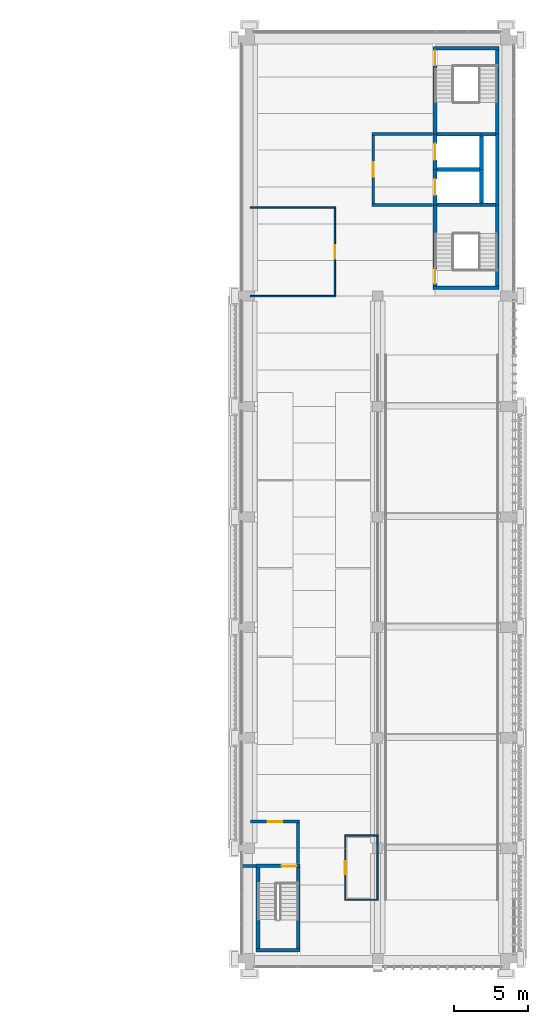
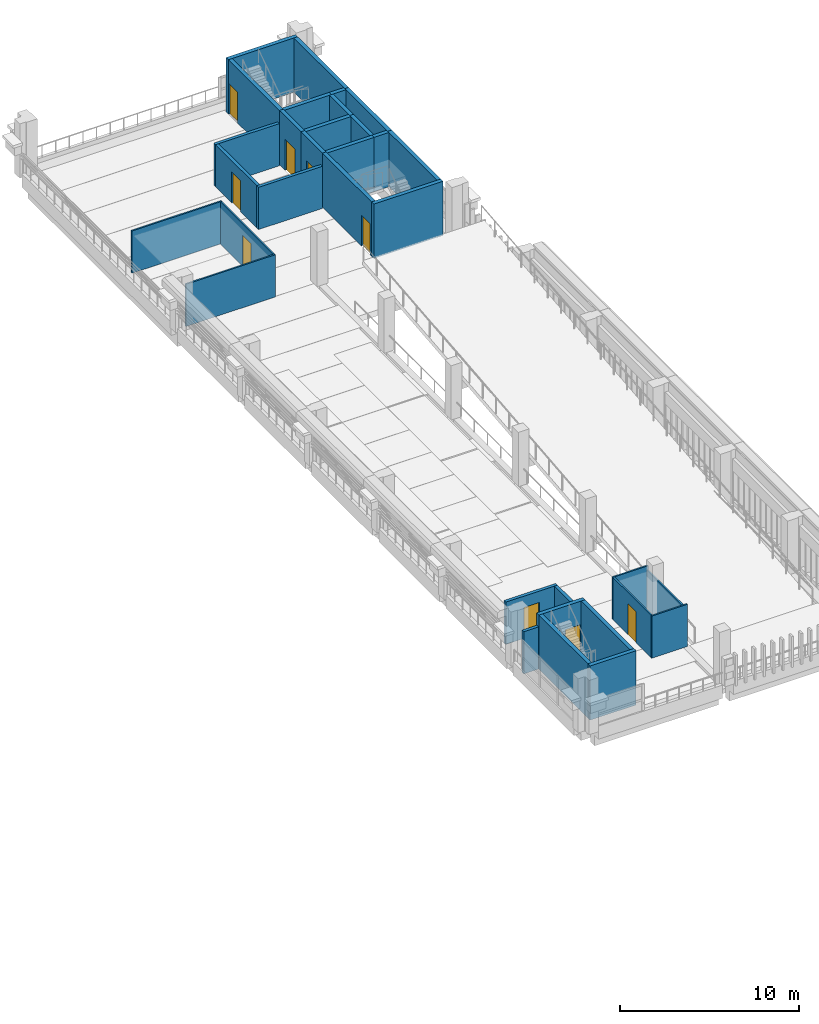
# One storey, part 10 of 25: 33 walls, 9 doors, 9 openings.
"""IFC4 building model written with IfcOpenShell, lengths in metres."""

from ifc_helpers import new_model, si_unit, direction, frame, frame_2d, origin, place, context, subcontext, project, spatial, rectangle, extrude, material, layer, layer_set, type_object, element, fill, save


model = new_model("IFC4")

# Units and contexts
model_context = context("Model", 3, precision=1e-05, world=origin(), true_north=direction((0.0, 1.0)))
body_context = subcontext(model_context, "Body", "Model", "MODEL_VIEW")
ifc_project = project(units=[si_unit("LENGTHUNIT", "METRE"), si_unit("AREAUNIT", "SQUARE_METRE"), si_unit("VOLUMEUNIT", "CUBIC_METRE"), si_unit("PLANEANGLEUNIT", "RADIAN"), si_unit("MASSUNIT", "GRAM", prefix="KILO")], contexts=[model_context])

# Site, building, storey
site_placement = place(None, origin())
site = spatial("IfcSite", under=ifc_project, at=site_placement, CompositionType="ELEMENT")
building_placement = place(site_placement, origin())
building = spatial("IfcBuilding", under=site, at=building_placement, Name="Cour d'Honneur Mobility Palace", CompositionType="ELEMENT")
storey_placement = place(building_placement, frame((0.0, 0.0, 30.39990234375)))
storey = spatial("IfcBuildingStorey", under=building, at=storey_placement, Name="L08", CompositionType="ELEMENT", Elevation=30.39990234375)

# Wall
ifc_material_1 = material(Name="Concrete C50", Category="concrete")
ifc_layer_1 = layer(ifc_material_1, 0.25)
ifc_layer_set_1 = layer_set([ifc_layer_1], Name="Concrete C50")
wall_type_1 = type_object("IfcWallType", Name="Lift shaft wall 250", PredefinedType="SHEAR", material=ifc_layer_set_1)
wall_1_placement = place(storey_placement, frame((157.625, 53.60009765625, 0.0), z_axis=(0.0, 0.0, 1.0), x_axis=(1.0, 0.0, 0.0)))
element("IfcWall", 1, at=wall_1_placement, inside=storey, type_object=wall_type_1, Name="Lift shaft wall WL-CE4 L08", PredefinedType="SHEAR", context=body_context, shape_type="SweptSolid", body=[
    extrude(rectangle(XDim=2.89990234375, YDim=0.25, at=frame_2d((1.449951171875, 0.0))), origin(), (0.0, 0.0, 1.0), 3.7001953125),
])

# Wall, opening, door
wall_2_placement = place(storey_placement, frame((157.5, 51.199951171875, 0.0), z_axis=(0.0, 0.0, 1.0), x_axis=(0.0, 1.0, 0.0)))
wall_2 = element("IfcWall", 2, at=wall_2_placement, inside=storey, type_object=wall_type_1, Name="Lift shaft wall WL-CE9 L08", PredefinedType="SHEAR", context=body_context, shape_type="SweptSolid", body=[
    extrude(rectangle(XDim=2.400146484375, YDim=0.25, at=frame_2d((1.2001953125, 0.0))), origin(), (0.0, 0.0, 1.0), 3.7001953125),
])
opening_1_placement = place(wall_2_placement, frame((0.64990234375, 0.0, 0.0)))
opening_1 = element("IfcOpeningElement", 3, at=opening_1_placement, cuts=wall_2, Name="Opening LD29", PredefinedType="OPENING", context=body_context, shape_type="SweptSolid", body=[
    extrude(rectangle(XDim=1.10009765625, YDim=2.10009765625, at=frame_2d((0.550048828125, 1.050048828125))), frame((0.0, 0.135009765625, 0.0), z_axis=(0.0, -1.0, 0.0), x_axis=(1.0, 0.0, 0.0)), (0.0, 0.0, 1.0), 0.27001953125),
])
ifc_material_2 = material(Name="Stainless steel", Category="steel")
door_type_1 = type_object("IfcDoorType", Name="Landing door 1100 x 2100", OperationType="SLIDING_TO_LEFT", PredefinedType="DOOR", material=ifc_material_2)
door_1_placement = place(opening_1_placement, origin())
door_1 = element("IfcDoor", 4, at=door_1_placement, inside=storey, type_object=door_type_1, Name="Landing door LF-CE1 L08", OperationType="SLIDING_TO_LEFT", OverallHeight=2.10009765625, OverallWidth=1.10009765625, PredefinedType="DOOR", context=body_context, shape_type="SweptSolid", body=[
    extrude(rectangle(XDim=1.10009765625, YDim=2.10009765625, at=frame_2d((0.550048828125, 1.050048828125))), frame((0.0, 0.02490234375, 0.0), z_axis=(0.0, -1.0, 0.0), x_axis=(1.0, 0.0, 0.0)), (0.0, 0.0, 1.0), 0.050048828125),
])
fill(opening_1, door_1)

wall_3_placement = place(storey_placement, frame((157.5, 53.60009765625, 0.0), z_axis=(0.0, 0.0, 1.0), x_axis=(0.0, 1.0, 0.0)))
wall_3 = element("IfcWall", 5, at=wall_3_placement, inside=storey, type_object=wall_type_1, Name="Lift shaft wall WL-CE10 L08", PredefinedType="SHEAR", context=body_context, shape_type="SweptSolid", body=[
    extrude(rectangle(XDim=2.39990234375, YDim=0.25, at=frame_2d((1.199951171875, 0.0))), origin(), (0.0, 0.0, 1.0), 3.7001953125),
])
opening_2_placement = place(wall_3_placement, frame((0.64990234375, 0.0, 0.0)))
opening_2 = element("IfcOpeningElement", 6, at=opening_2_placement, cuts=wall_3, Name="Opening LD39", PredefinedType="OPENING", context=body_context, shape_type="SweptSolid", body=[
    extrude(rectangle(XDim=1.10009765625, YDim=2.10009765625, at=frame_2d((0.550048828125, 1.050048828125))), frame((0.0, 0.135009765625, 0.0), z_axis=(0.0, -1.0, 0.0), x_axis=(1.0, 0.0, 0.0)), (0.0, 0.0, 1.0), 0.27001953125),
])
door_2_placement = place(opening_2_placement, origin())
door_2 = element("IfcDoor", 7, at=door_2_placement, inside=storey, type_object=door_type_1, Name="Landing door LF-CE2 L08", OperationType="SLIDING_TO_LEFT", OverallHeight=2.10009765625, OverallWidth=1.10009765625, PredefinedType="DOOR", context=body_context, shape_type="SweptSolid", body=[
    extrude(rectangle(XDim=1.10009765625, YDim=2.10009765625, at=frame_2d((0.550048828125, 1.050048828125))), frame((0.0, 0.02490234375, 0.0), z_axis=(0.0, -1.0, 0.0), x_axis=(1.0, 0.0, 0.0)), (0.0, 0.0, 1.0), 0.050048828125),
])
fill(opening_2, door_2)

# Walls
wall_4_placement = place(storey_placement, frame((160.64990234375, 51.324951171875, 0.0), z_axis=(0.0, 0.0, 1.0), x_axis=(0.0, 1.0, 0.0)))
element("IfcWall", 8, at=wall_4_placement, inside=storey, type_object=wall_type_1, Name="Lift shaft wall WL-CE12 L08", PredefinedType="SHEAR", context=body_context, shape_type="SweptSolid", body=[
    extrude(rectangle(XDim=2.275146484375, YDim=0.25, at=frame_2d((1.1376953125, 0.0))), origin(), (0.0, 0.0, 1.0), 3.7001953125),
])
wall_5_placement = place(storey_placement, frame((160.64990234375, 53.60009765625, 0.0), z_axis=(0.0, 0.0, 1.0), x_axis=(0.0, 1.0, 0.0)))
element("IfcWall", 9, at=wall_5_placement, inside=storey, type_object=wall_type_1, Name="Lift shaft wall WL-CE13 L08", PredefinedType="SHEAR", context=body_context, shape_type="SweptSolid", body=[
    extrude(rectangle(XDim=2.27490234375, YDim=0.25, at=frame_2d((1.137451171875, 0.0))), origin(), (0.0, 0.0, 1.0), 3.7001953125),
])
ifc_material_3 = material(Name="Gypsum plasterboard")
ifc_layer_2 = layer(ifc_material_3, 0.10009765625)
ifc_layer_set_2 = layer_set([ifc_layer_2], Name="Gypsum plasterboard")
wall_type_2 = type_object("IfcWallType", Name="Partition 100", PredefinedType="PARTITIONING", material=ifc_layer_set_2)
wall_6_placement = place(storey_placement, frame((151.35009765625, 4.0, 0.0), z_axis=(0.0, 0.0, 1.0), x_axis=(1.0, 0.0, 0.0)))
element("IfcWall", 10, at=wall_6_placement, inside=storey, type_object=wall_type_2, Name="Partition 003", PredefinedType="PARTITIONING", context=body_context, shape_type="SweptSolid", body=[
    extrude(rectangle(XDim=2.2998046875, YDim=0.10009765625, at=frame_2d((1.14990234375, 0.0))), origin(), (0.0, 0.0, 1.0), 2.880126953125),
])

# Wall, opening, door
wall_7_placement = place(storey_placement, frame((151.39990234375, 8.300048828125, 0.0), z_axis=(0.0, 0.0, 1.0), x_axis=(0.0, -1.0, 0.0)))
wall_7 = element("IfcWall", 11, at=wall_7_placement, inside=storey, type_object=wall_type_2, Name="Partition 010", PredefinedType="PARTITIONING", context=body_context, shape_type="SweptSolid", body=[
    extrude(rectangle(XDim=4.25, YDim=0.10009765625, at=frame_2d((2.125, 0.0))), origin(), (0.0, 0.0, 1.0), 2.880126953125),
])
opening_3_placement = place(wall_7_placement, frame((1.675048828125, 0.0, 0.0)))
opening_3 = element("IfcOpeningElement", 12, at=opening_3_placement, cuts=wall_7, Name="Opening D0805", PredefinedType="OPENING", context=body_context, shape_type="SweptSolid", body=[
    extrude(rectangle(XDim=0.89990234375, YDim=2.10009765625, at=frame_2d((0.449951171875, 1.050048828125))), frame((0.0, 0.06005859375, 0.0), z_axis=(0.0, -1.0, 0.0), x_axis=(1.0, 0.0, 0.0)), (0.0, 0.0, 1.0), 0.1201171875),
])
ifc_material_4 = material(Name="Solid timber", Category="wood")
door_type_2 = type_object("IfcDoorType", Name="Single door 900 x 2100", OperationType="SINGLE_SWING_LEFT", PredefinedType="DOOR", material=ifc_material_4)
door_3_placement = place(opening_3_placement, origin())
door_3 = element("IfcDoor", 13, at=door_3_placement, inside=storey, type_object=door_type_2, Name="Door Valet Handover East", OperationType="SINGLE_SWING_RIGHT", OverallHeight=2.10009765625, OverallWidth=0.89990234375, PredefinedType="DOOR", context=body_context, shape_type="SweptSolid", body=[
    extrude(rectangle(XDim=0.89990234375, YDim=2.10009765625, at=frame_2d((0.449951171875, 1.050048828125))), frame((0.0, 0.02490234375, 0.0), z_axis=(0.0, -1.0, 0.0), x_axis=(1.0, 0.0, 0.0)), (0.0, 0.0, 1.0), 0.050048828125),
])
fill(opening_3, door_3)

# Walls
wall_8_placement = place(storey_placement, frame((153.64990234375, 8.35009765625, 0.0), z_axis=(0.0, 0.0, 1.0), x_axis=(-1.0, 0.0, 0.0)))
element("IfcWall", 14, at=wall_8_placement, inside=storey, type_object=wall_type_2, Name="Partition 011", PredefinedType="PARTITIONING", context=body_context, shape_type="SweptSolid", body=[
    extrude(rectangle(XDim=2.2998046875, YDim=0.10009765625, at=frame_2d((1.14990234375, 0.0))), origin(), (0.0, 0.0, 1.0), 2.880126953125),
])
wall_9_placement = place(storey_placement, frame((144.9599609375, 45.0, 0.0), z_axis=(0.0, 0.0, 1.0), x_axis=(1.0, 0.0, 0.0)))
element("IfcWall", 15, at=wall_9_placement, inside=storey, type_object=wall_type_2, Name="Partition 016", PredefinedType="PARTITIONING", context=body_context, shape_type="SweptSolid", body=[
    extrude(rectangle(XDim=5.7900390625, YDim=0.10009765625, at=frame_2d((2.89501953125, 0.0))), origin(), (0.0, 0.0, 1.0), 2.880126953125),
])

# Wall, opening, door
wall_10_placement = place(storey_placement, frame((150.699951171875, 45.050048828125, 0.0), z_axis=(0.0, 0.0, 1.0), x_axis=(0.0, 1.0, 0.0)))
wall_10 = element("IfcWall", 16, at=wall_10_placement, inside=storey, type_object=wall_type_2, Name="Partition 017", PredefinedType="PARTITIONING", context=body_context, shape_type="SweptSolid", body=[
    extrude(rectangle(XDim=5.89990234375, YDim=0.10009765625, at=frame_2d((2.949951171875, 0.0))), origin(), (0.0, 0.0, 1.0), 2.880126953125),
])
opening_4_placement = place(wall_10_placement, frame((2.5, 0.0, 0.0)))
opening_4 = element("IfcOpeningElement", 17, at=opening_4_placement, cuts=wall_10, Name="Opening D0807", PredefinedType="OPENING", context=body_context, shape_type="SweptSolid", body=[
    extrude(rectangle(XDim=0.89990234375, YDim=2.10009765625, at=frame_2d((0.449951171875, 1.050048828125))), frame((0.0, 0.06005859375, 0.0), z_axis=(0.0, -1.0, 0.0), x_axis=(1.0, 0.0, 0.0)), (0.0, 0.0, 1.0), 0.1201171875),
])
door_4_placement = place(opening_4_placement, origin())
door_4 = element("IfcDoor", 18, at=door_4_placement, inside=storey, type_object=door_type_2, Name="Door Attendant Room", OperationType="SINGLE_SWING_RIGHT", OverallHeight=2.10009765625, OverallWidth=0.89990234375, PredefinedType="DOOR", context=body_context, shape_type="SweptSolid", body=[
    extrude(rectangle(XDim=0.89990234375, YDim=2.10009765625, at=frame_2d((0.449951171875, 1.050048828125))), frame((0.0, 0.02490234375, 0.0), z_axis=(0.0, -1.0, 0.0), x_axis=(1.0, 0.0, 0.0)), (0.0, 0.0, 1.0), 0.050048828125),
])
fill(opening_4, door_4)

# Walls
wall_11_placement = place(storey_placement, frame((150.75, 51.0, 0.0), z_axis=(0.0, 0.0, 1.0), x_axis=(-1.0, 0.0, 0.0)))
element("IfcWall", 19, at=wall_11_placement, inside=storey, type_object=wall_type_2, Name="Partition 020", PredefinedType="PARTITIONING", context=body_context, shape_type="SweptSolid", body=[
    extrude(rectangle(XDim=5.7900390625, YDim=0.10009765625, at=frame_2d((2.89501953125, 0.0))), origin(), (0.0, 0.0, 1.0), 2.880126953125),
])
ifc_material_5 = material(Name="Gypsum plasterboard")
ifc_layer_3 = layer(ifc_material_5, 0.10009765625)
ifc_layer_set_3 = layer_set([ifc_layer_3], Name="Gypsum plasterboard")
wall_type_3 = type_object("IfcWallType", Name="Partition 100 under beam 1100", PredefinedType="PARTITIONING", material=ifc_layer_set_3)
wall_12_placement = place(storey_placement, frame((153.60009765625, 4.050048828125, 0.0), z_axis=(0.0, 0.0, 1.0), x_axis=(0.0, 1.0, 0.0)))
element("IfcWall", 20, at=wall_12_placement, inside=storey, type_object=wall_type_3, Name="Partition 004", PredefinedType="PARTITIONING", context=body_context, shape_type="SweptSolid", body=[
    extrude(rectangle(XDim=4.25, YDim=0.10009765625, at=frame_2d((2.125, 0.0))), origin(), (0.0, 0.0, 1.0), 2.60009765625),
])
ifc_material_6 = material(Name="Gypsum plasterboard")
ifc_layer_4 = layer(ifc_material_6, 0.199951171875)
ifc_layer_set_4 = layer_set([ifc_layer_4], Name="Gypsum plasterboard")
wall_type_4 = type_object("IfcWallType", Name="Partition 200 rated EI 120", PredefinedType="PARTITIONING", material=ifc_layer_set_4)
wall_13_placement = place(storey_placement, frame((144.39990234375, 6.300048828125, 0.0), z_axis=(0.0, 0.0, 1.0), x_axis=(1.0, 0.0, 0.0)))
element("IfcWall", 21, at=wall_13_placement, inside=storey, type_object=wall_type_4, Name="Partition 006", PredefinedType="PARTITIONING", context=body_context, shape_type="SweptSolid", body=[
    extrude(rectangle(XDim=0.9501953125, YDim=0.199951171875, at=frame_2d((0.47509765625, 0.0))), origin(), (0.0, 0.0, 1.0), 2.880126953125),
])
wall_14_placement = place(storey_placement, frame((148.199951171875, 6.47509765625, 0.0), z_axis=(0.0, 0.0, 1.0), x_axis=(0.0, 1.0, 0.0)))
element("IfcWall", 22, at=wall_14_placement, inside=storey, type_object=wall_type_4, Name="Partition 007", PredefinedType="PARTITIONING", context=body_context, shape_type="SweptSolid", body=[
    extrude(rectangle(XDim=2.724853515625, YDim=0.199951171875, at=frame_2d((1.3623046875, 0.0))), origin(), (0.0, 0.0, 1.0), 2.880126953125),
])

# Wall, opening, door
wall_15_placement = place(storey_placement, frame((148.300048828125, 9.300048828125, 0.0), z_axis=(0.0, 0.0, 1.0), x_axis=(-1.0, 0.0, 0.0)))
wall_15 = element("IfcWall", 23, at=wall_15_placement, inside=storey, type_object=wall_type_4, Name="Partition 014", PredefinedType="PARTITIONING", context=body_context, shape_type="SweptSolid", body=[
    extrude(rectangle(XDim=3.340087890625, YDim=0.199951171875, at=frame_2d((1.669921875, 0.0))), origin(), (0.0, 0.0, 1.0), 2.880126953125),
])
opening_5_placement = place(wall_15_placement, frame((1.169921875, 0.0, 0.0)))
opening_5 = element("IfcOpeningElement", 24, at=opening_5_placement, cuts=wall_15, Name="Opening D0803", PredefinedType="OPENING", context=body_context, shape_type="SweptSolid", body=[
    extrude(rectangle(XDim=1.0, YDim=2.10009765625, at=frame_2d((0.5, 1.050048828125))), frame((0.0, 0.10986328125, 0.0), z_axis=(0.0, -1.0, 0.0), x_axis=(1.0, 0.0, 0.0)), (0.0, 0.0, 1.0), 0.219970703125),
])
ifc_material_7 = material(Name="Galvanised steel", Category="steel")
door_type_3 = type_object("IfcDoorType", Name="Fire door FD120 1000 x 2100", OperationType="SINGLE_SWING_LEFT", PredefinedType="DOOR", material=ifc_material_7)
door_5_placement = place(opening_5_placement, origin())
door_5 = element("IfcDoor", 25, at=door_5_placement, inside=storey, type_object=door_type_3, Name="Door Stair Lobby RE", OperationType="SINGLE_SWING_RIGHT", OverallHeight=2.10009765625, OverallWidth=1.0, PredefinedType="DOOR", context=body_context, shape_type="SweptSolid", body=[
    extrude(rectangle(XDim=1.0, YDim=2.10009765625, at=frame_2d((0.5, 1.050048828125))), frame((0.0, 0.02490234375, 0.0), z_axis=(0.0, -1.0, 0.0), x_axis=(1.0, 0.0, 0.0)), (0.0, 0.0, 1.0), 0.050048828125),
])
fill(opening_5, door_5)

# Wall
wall_16_placement = place(storey_placement, frame((153.199951171875, 51.199951171875, 0.0), z_axis=(0.0, 0.0, 1.0), x_axis=(1.0, 0.0, 0.0)))
element("IfcWall", 26, at=wall_16_placement, inside=storey, type_object=wall_type_4, Name="Partition 023", PredefinedType="PARTITIONING", context=body_context, shape_type="SweptSolid", body=[
    extrude(rectangle(XDim=4.125, YDim=0.199951171875, at=frame_2d((2.0625, 0.0))), origin(), (0.0, 0.0, 1.0), 2.880126953125),
])

# Wall, opening, door
wall_17_placement = place(storey_placement, frame((153.300048828125, 55.89990234375, 0.0), z_axis=(0.0, 0.0, 1.0), x_axis=(0.0, -1.0, 0.0)))
wall_17 = element("IfcWall", 27, at=wall_17_placement, inside=storey, type_object=wall_type_4, Name="Partition 025", PredefinedType="PARTITIONING", context=body_context, shape_type="SweptSolid", body=[
    extrude(rectangle(XDim=4.599853515625, YDim=0.199951171875, at=frame_2d((2.2998046875, 0.0))), origin(), (0.0, 0.0, 1.0), 2.880126953125),
])
opening_6_placement = place(wall_17_placement, frame((1.800048828125, 0.0, 0.0)))
opening_6 = element("IfcOpeningElement", 28, at=opening_6_placement, cuts=wall_17, Name="Opening D0808", PredefinedType="OPENING", context=body_context, shape_type="SweptSolid", body=[
    extrude(rectangle(XDim=1.0, YDim=2.10009765625, at=frame_2d((0.5, 1.050048828125))), frame((0.0, 0.10986328125, 0.0), z_axis=(0.0, -1.0, 0.0), x_axis=(1.0, 0.0, 0.0)), (0.0, 0.0, 1.0), 0.219970703125),
])
door_6_placement = place(opening_6_placement, origin())
door_6 = element("IfcDoor", 29, at=door_6_placement, inside=storey, type_object=door_type_3, Name="Door Firefighting Lobby CE", OperationType="SINGLE_SWING_LEFT", OverallHeight=2.10009765625, OverallWidth=1.0, PredefinedType="DOOR", context=body_context, shape_type="SweptSolid", body=[
    extrude(rectangle(XDim=1.0, YDim=2.10009765625, at=frame_2d((0.5, 1.050048828125))), frame((0.0, 0.02490234375, 0.0), z_axis=(0.0, -1.0, 0.0), x_axis=(1.0, 0.0, 0.0)), (0.0, 0.0, 1.0), 0.050048828125),
])
fill(opening_6, door_6)

# Walls
wall_18_placement = place(storey_placement, frame((157.324951171875, 56.0, 0.0), z_axis=(0.0, 0.0, 1.0), x_axis=(-1.0, 0.0, 0.0)))
element("IfcWall", 30, at=wall_18_placement, inside=storey, type_object=wall_type_4, Name="Partition 026", PredefinedType="PARTITIONING", context=body_context, shape_type="SweptSolid", body=[
    extrude(rectangle(XDim=4.125, YDim=0.199951171875, at=frame_2d((2.0625, 0.0))), origin(), (0.0, 0.0, 1.0), 2.880126953125),
])
ifc_material_8 = material(Name="Concrete C50", Category="concrete")
ifc_layer_5 = layer(ifc_material_8, 0.25)
ifc_layer_set_5 = layer_set([ifc_layer_5], Name="Concrete C50")
wall_type_5 = type_object("IfcWallType", Name="Shaft wall 250", PredefinedType="SHEAR", material=ifc_layer_set_5)
wall_19_placement = place(storey_placement, frame((161.72509765625, 51.199951171875, 0.0), z_axis=(0.0, 0.0, 1.0), x_axis=(0.0, 1.0, 0.0)))
element("IfcWall", 31, at=wall_19_placement, inside=storey, type_object=wall_type_5, Name="Shaft wall WR-CE15 L08", PredefinedType="SHEAR", context=body_context, shape_type="SweptSolid", body=[
    extrude(rectangle(XDim=4.800048828125, YDim=0.25, at=frame_2d((2.39990234375, 0.0))), origin(), (0.0, 0.0, 1.0), 3.7001953125),
])
ifc_material_9 = material(Name="Concrete C50", Category="concrete")
ifc_layer_6 = layer(ifc_material_9, 0.25)
ifc_layer_set_6 = layer_set([ifc_layer_6], Name="Concrete C50")
wall_type_6 = type_object("IfcWallType", Name="Stair wall 250", PredefinedType="SHEAR", material=ifc_layer_set_6)
wall_20_placement = place(storey_placement, frame((157.375, 45.574951171875, 0.0), z_axis=(0.0, 0.0, 1.0), x_axis=(1.0, 0.0, 0.0)))
element("IfcWall", 32, at=wall_20_placement, inside=storey, type_object=wall_type_6, Name="Stair wall WS-CE1 L08", PredefinedType="SHEAR", context=body_context, shape_type="SweptSolid", body=[
    extrude(rectangle(XDim=4.47509765625, YDim=0.25, at=frame_2d((2.237548828125, 0.0))), origin(), (0.0, 0.0, 1.0), 3.7001953125),
])
wall_21_placement = place(storey_placement, frame((157.625, 51.199951171875, 0.0), z_axis=(0.0, 0.0, 1.0), x_axis=(1.0, 0.0, 0.0)))
element("IfcWall", 33, at=wall_21_placement, inside=storey, type_object=wall_type_6, Name="Stair wall WS-CE2 L08", PredefinedType="SHEAR", context=body_context, shape_type="SweptSolid", body=[
    extrude(rectangle(XDim=3.02490234375, YDim=0.25, at=frame_2d((1.512451171875, 0.0))), origin(), (0.0, 0.0, 1.0), 3.7001953125),
])
wall_22_placement = place(storey_placement, frame((160.64990234375, 51.199951171875, 0.0), z_axis=(0.0, 0.0, 1.0), x_axis=(1.0, 0.0, 0.0)))
element("IfcWall", 34, at=wall_22_placement, inside=storey, type_object=wall_type_6, Name="Stair wall WS-CE3 L08", PredefinedType="SHEAR", context=body_context, shape_type="SweptSolid", body=[
    extrude(rectangle(XDim=0.9501953125, YDim=0.25, at=frame_2d((0.47509765625, 0.0))), origin(), (0.0, 0.0, 1.0), 3.7001953125),
])
wall_23_placement = place(storey_placement, frame((157.625, 56.0, 0.0), z_axis=(0.0, 0.0, 1.0), x_axis=(1.0, 0.0, 0.0)))
element("IfcWall", 35, at=wall_23_placement, inside=storey, type_object=wall_type_6, Name="Stair wall WS-CE5 L08", PredefinedType="SHEAR", context=body_context, shape_type="SweptSolid", body=[
    extrude(rectangle(XDim=3.02490234375, YDim=0.25, at=frame_2d((1.512451171875, 0.0))), origin(), (0.0, 0.0, 1.0), 3.7001953125),
])
wall_24_placement = place(storey_placement, frame((160.64990234375, 56.0, 0.0), z_axis=(0.0, 0.0, 1.0), x_axis=(1.0, 0.0, 0.0)))
element("IfcWall", 36, at=wall_24_placement, inside=storey, type_object=wall_type_6, Name="Stair wall WS-CE6 L08", PredefinedType="SHEAR", context=body_context, shape_type="SweptSolid", body=[
    extrude(rectangle(XDim=0.9501953125, YDim=0.25, at=frame_2d((0.47509765625, 0.0))), origin(), (0.0, 0.0, 1.0), 3.7001953125),
])
wall_25_placement = place(storey_placement, frame((157.375, 61.824951171875, 0.0), z_axis=(0.0, 0.0, 1.0), x_axis=(1.0, 0.0, 0.0)))
element("IfcWall", 37, at=wall_25_placement, inside=storey, type_object=wall_type_6, Name="Stair wall WS-CE7 L08", PredefinedType="SHEAR", context=body_context, shape_type="SweptSolid", body=[
    extrude(rectangle(XDim=4.47509765625, YDim=0.25, at=frame_2d((2.237548828125, 0.0))), origin(), (0.0, 0.0, 1.0), 3.7001953125),
])

# Wall, opening, door
wall_26_placement = place(storey_placement, frame((157.5, 45.699951171875, 0.0), z_axis=(0.0, 0.0, 1.0), x_axis=(0.0, 1.0, 0.0)))
wall_26 = element("IfcWall", 38, at=wall_26_placement, inside=storey, type_object=wall_type_6, Name="Stair wall WS-CE8 L08", PredefinedType="SHEAR", context=body_context, shape_type="SweptSolid", body=[
    extrude(rectangle(XDim=5.5, YDim=0.25, at=frame_2d((2.75, 0.0))), origin(), (0.0, 0.0, 1.0), 3.7001953125),
])
opening_7_placement = place(wall_26_placement, frame((0.14990234375, 0.0, 0.0)))
opening_7 = element("IfcOpeningElement", 39, at=opening_7_placement, cuts=wall_26, Name="Opening S147", PredefinedType="OPENING", context=body_context, shape_type="SweptSolid", body=[
    extrude(rectangle(XDim=1.0, YDim=2.10009765625, at=frame_2d((0.5, 1.050048828125))), frame((0.0, 0.135009765625, 0.0), z_axis=(0.0, -1.0, 0.0), x_axis=(1.0, 0.0, 0.0)), (0.0, 0.0, 1.0), 0.27001953125),
])
ifc_material_10 = material(Name="Galvanised steel", Category="steel")
door_type_4 = type_object("IfcDoorType", Name="Fire door FD120 stair 1000 x 2100", OperationType="SINGLE_SWING_LEFT", PredefinedType="DOOR", material=ifc_material_10)
door_7_placement = place(opening_7_placement, origin())
door_7 = element("IfcDoor", 40, at=door_7_placement, inside=storey, type_object=door_type_4, Name="Stair door ST-CE1 L08", OperationType="SINGLE_SWING_LEFT", OverallHeight=2.10009765625, OverallWidth=1.0, PredefinedType="DOOR", context=body_context, shape_type="SweptSolid", body=[
    extrude(rectangle(XDim=1.0, YDim=2.10009765625, at=frame_2d((0.5, 1.050048828125))), frame((0.0, 0.02490234375, 0.0), z_axis=(0.0, -1.0, 0.0), x_axis=(1.0, 0.0, 0.0)), (0.0, 0.0, 1.0), 0.050048828125),
])
fill(opening_7, door_7)

wall_27_placement = place(storey_placement, frame((157.5, 56.0, 0.0), z_axis=(0.0, 0.0, 1.0), x_axis=(0.0, 1.0, 0.0)))
wall_27 = element("IfcWall", 41, at=wall_27_placement, inside=storey, type_object=wall_type_6, Name="Stair wall WS-CE11 L08", PredefinedType="SHEAR", context=body_context, shape_type="SweptSolid", body=[
    extrude(rectangle(XDim=5.699951171875, YDim=0.25, at=frame_2d((2.85009765625, 0.0))), origin(), (0.0, 0.0, 1.0), 3.7001953125),
])
opening_8_placement = place(wall_27_placement, frame((4.675048828125, 0.0, 0.0)))
opening_8 = element("IfcOpeningElement", 42, at=opening_8_placement, cuts=wall_27, Name="Opening S83", PredefinedType="OPENING", context=body_context, shape_type="SweptSolid", body=[
    extrude(rectangle(XDim=1.0, YDim=2.10009765625, at=frame_2d((0.5, 1.050048828125))), frame((0.0, 0.135009765625, 0.0), z_axis=(0.0, -1.0, 0.0), x_axis=(1.0, 0.0, 0.0)), (0.0, 0.0, 1.0), 0.27001953125),
])
door_8_placement = place(opening_8_placement, origin())
door_8 = element("IfcDoor", 43, at=door_8_placement, inside=storey, type_object=door_type_4, Name="Stair door ST-CE2 L08", OperationType="SINGLE_SWING_RIGHT", OverallHeight=2.10009765625, OverallWidth=1.0, PredefinedType="DOOR", context=body_context, shape_type="SweptSolid", body=[
    extrude(rectangle(XDim=1.0, YDim=2.10009765625, at=frame_2d((0.5, 1.050048828125))), frame((0.0, 0.02490234375, 0.0), z_axis=(0.0, -1.0, 0.0), x_axis=(1.0, 0.0, 0.0)), (0.0, 0.0, 1.0), 0.050048828125),
])
fill(opening_8, door_8)

# Walls
wall_28_placement = place(storey_placement, frame((161.72509765625, 45.699951171875, 0.0), z_axis=(0.0, 0.0, 1.0), x_axis=(0.0, 1.0, 0.0)))
element("IfcWall", 44, at=wall_28_placement, inside=storey, type_object=wall_type_6, Name="Stair wall WS-CE14 L08", PredefinedType="SHEAR", context=body_context, shape_type="SweptSolid", body=[
    extrude(rectangle(XDim=5.5, YDim=0.25, at=frame_2d((2.75, 0.0))), origin(), (0.0, 0.0, 1.0), 3.7001953125),
])
wall_29_placement = place(storey_placement, frame((161.72509765625, 56.0, 0.0), z_axis=(0.0, 0.0, 1.0), x_axis=(0.0, 1.0, 0.0)))
element("IfcWall", 45, at=wall_29_placement, inside=storey, type_object=wall_type_6, Name="Stair wall WS-CE16 L08", PredefinedType="SHEAR", context=body_context, shape_type="SweptSolid", body=[
    extrude(rectangle(XDim=5.699951171875, YDim=0.25, at=frame_2d((2.85009765625, 0.0))), origin(), (0.0, 0.0, 1.0), 3.7001953125),
])
wall_30_placement = place(storey_placement, frame((145.35009765625, 0.574951171875, 0.0), z_axis=(0.0, 0.0, 1.0), x_axis=(1.0, 0.0, 0.0)))
element("IfcWall", 46, at=wall_30_placement, inside=storey, type_object=wall_type_6, Name="Stair wall WS-RE1 L08", PredefinedType="SHEAR", context=body_context, shape_type="SweptSolid", body=[
    extrude(rectangle(XDim=2.974853515625, YDim=0.25, at=frame_2d((1.4873046875, 0.0))), origin(), (0.0, 0.0, 1.0), 3.7001953125),
])

# Wall, opening, door
wall_31_placement = place(storey_placement, frame((145.35009765625, 6.300048828125, 0.0), z_axis=(0.0, 0.0, 1.0), x_axis=(1.0, 0.0, 0.0)))
wall_31 = element("IfcWall", 47, at=wall_31_placement, inside=storey, type_object=wall_type_6, Name="Stair wall WS-RE2 L08", PredefinedType="SHEAR", context=body_context, shape_type="SweptSolid", body=[
    extrude(rectangle(XDim=2.974853515625, YDim=0.25, at=frame_2d((1.4873046875, 0.0))), origin(), (0.0, 0.0, 1.0), 3.7001953125),
])
opening_9_placement = place(wall_31_placement, frame((1.72509765625, 0.0, 0.0)))
opening_9 = element("IfcOpeningElement", 48, at=opening_9_placement, cuts=wall_31, Name="Opening S127", PredefinedType="OPENING", context=body_context, shape_type="SweptSolid", body=[
    extrude(rectangle(XDim=1.0, YDim=2.10009765625, at=frame_2d((0.5, 1.050048828125))), frame((0.0, 0.135009765625, 0.0), z_axis=(0.0, -1.0, 0.0), x_axis=(1.0, 0.0, 0.0)), (0.0, 0.0, 1.0), 0.27001953125),
])
door_9_placement = place(opening_9_placement, origin())
door_9 = element("IfcDoor", 49, at=door_9_placement, inside=storey, type_object=door_type_4, Name="Stair door ST-RE1 L08", OperationType="SINGLE_SWING_RIGHT", OverallHeight=2.10009765625, OverallWidth=1.0, PredefinedType="DOOR", context=body_context, shape_type="SweptSolid", body=[
    extrude(rectangle(XDim=1.0, YDim=2.10009765625, at=frame_2d((0.5, 1.050048828125))), frame((0.0, 0.02490234375, 0.0), z_axis=(0.0, -1.0, 0.0), x_axis=(1.0, 0.0, 0.0)), (0.0, 0.0, 1.0), 0.050048828125),
])
fill(opening_9, door_9)

# Walls
for number, where, z_axis, x_axis, name in (
    (50, (145.47509765625, 0.699951171875, 0.0), (0.0, 0.0, 1.0), (0.0, 1.0, 0.0), "Stair wall WS-RE3 L08"),
    (51, (148.199951171875, 0.699951171875, 0.0), (0.0, 0.0, 1.0), (0.0, 1.0, 0.0), "Stair wall WS-RE4 L08"),
):
    element("IfcWall", number, at=place(storey_placement, frame(where, z_axis=z_axis, x_axis=x_axis)), inside=storey, type_object=wall_type_6, Name=name, PredefinedType="SHEAR", context=body_context, shape_type="SweptSolid", body=[
        extrude(rectangle(XDim=5.47509765625, YDim=0.25, at=frame_2d((2.737548828125, 0.0))), origin(), (0.0, 0.0, 1.0), 3.7001953125),
    ])

save(model, "model.ifc")
